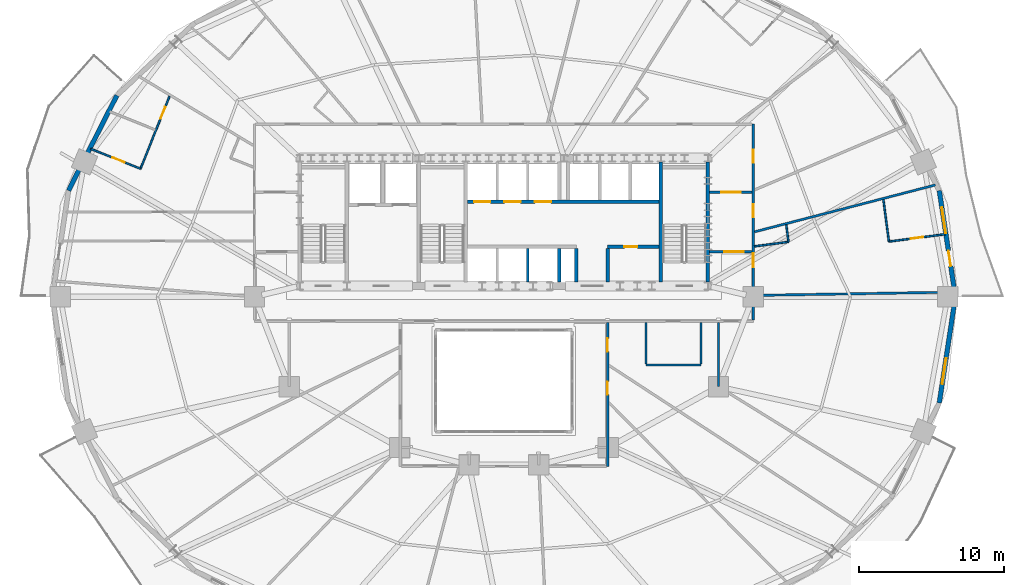
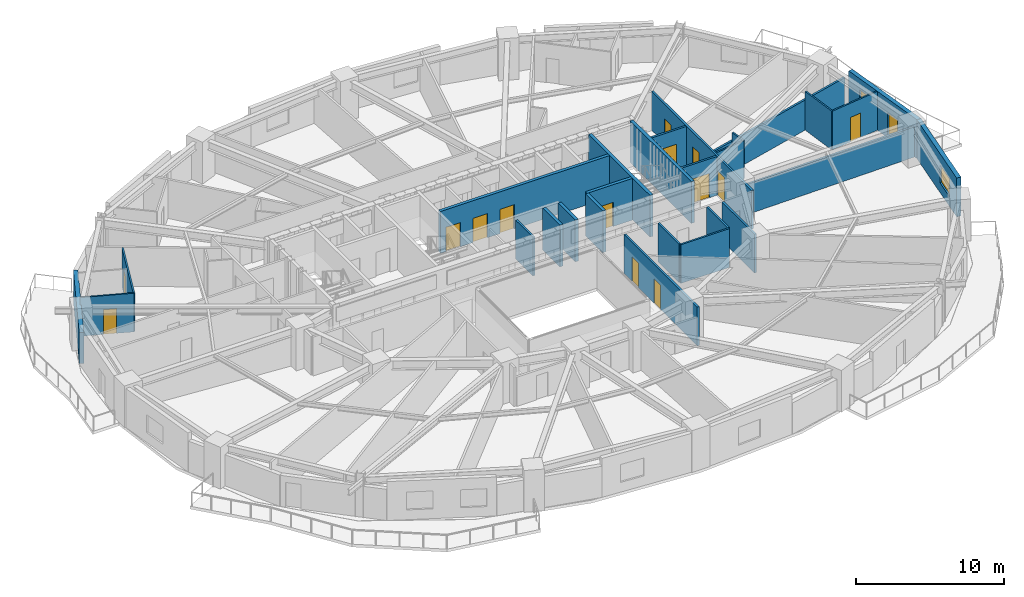
# One storey, part 11 of 17: 27 walls, 15 doors, 2 windows, 17 openings.
"""IFC4 building model written with IfcOpenShell, lengths in metres."""

from ifc_helpers import new_model, si_unit, direction, frame, frame_2d, origin, place, context, subcontext, project, spatial, rectangle, extrude, material, layer, layer_set, type_object, element, fill, save


model = new_model("IFC4")

# Units and contexts
model_context = context("Model", 3, precision=1e-05, world=origin(), true_north=direction((0.0, 1.0)))
body_context = subcontext(model_context, "Body", "Model", "MODEL_VIEW")
ifc_project = project(units=[si_unit("LENGTHUNIT", "METRE"), si_unit("AREAUNIT", "SQUARE_METRE"), si_unit("VOLUMEUNIT", "CUBIC_METRE"), si_unit("PLANEANGLEUNIT", "RADIAN"), si_unit("MASSUNIT", "GRAM", prefix="KILO")], contexts=[model_context])

# Site, building, storey
site_placement = place(None, origin())
site = spatial("IfcSite", under=ifc_project, at=site_placement, CompositionType="ELEMENT")
building_placement = place(site_placement, origin())
building = spatial("IfcBuilding", under=site, at=building_placement, Name="Haldorwick Loom Tower", CompositionType="ELEMENT")
storey_placement = place(building_placement, frame((0.0, 0.0, 30.89990234375)))
storey = spatial("IfcBuildingStorey", under=building, at=storey_placement, Name="L07", CompositionType="ELEMENT", Elevation=30.89990234375)

# Wall, openings, door, window
ifc_material_1 = material(Name="Pressed Clay Face Brick and Insulated Masonry Backup Assembly", Category="masonry")
ifc_layer_1 = layer(ifc_material_1, 0.320068359375, Name="Pressed Clay Face Brick and Insulated Masonry Backup Assembly", Category="masonry")
ifc_layer_set_1 = layer_set([ifc_layer_1], Name="Pressed Clay Face Brick and Insulated Masonry Backup Assembly")
wall_type_1 = type_object("IfcWallType", Name="ARC-WL-EXT320", PredefinedType="STANDARD", material=ifc_layer_set_1)
wall_1_placement = place(storey_placement, frame((67.135986328125, 26.0, 0.0), z_axis=(0.0, 0.0, 1.0), x_axis=(-0.150476322528, 0.988613613278, 0.0)))
wall_1 = element("IfcWall", 1, at=wall_1_placement, inside=storey, type_object=wall_type_1, Name="L07 Brick Pier and Spandrel Wall 1", PredefinedType="STANDARD", context=body_context, shape_type="SweptSolid", body=[
    extrude(rectangle(XDim=7.40478515625, YDim=0.320068359375, at=frame_2d((3.702392578125, 0.0))), origin(), (0.0, 0.0, 1.0), 3.210205078125),
])
opening_1_placement = place(wall_1_placement, frame((2.1416015625, 0.0, 0.0)))
opening_1 = element("IfcOpeningElement", 2, at=opening_1_placement, cuts=wall_1, Name="Opening D-BL11", PredefinedType="OPENING", context=body_context, shape_type="SweptSolid", body=[
    extrude(rectangle(XDim=1.080078125, YDim=2.0400390625, at=frame_2d((0.5400390625, 1.02001953125))), frame((0.0, 0.169921875, 0.0), z_axis=(0.0, -1.0, 0.0), x_axis=(1.0, 0.0, 0.0)), (0.0, 0.0, 1.0), 0.340087890625),
])
opening_2_placement = place(wall_1_placement, frame((4.424072265625, 0.0, 0.800048828125)))
opening_2 = element("IfcOpeningElement", 3, at=opening_2_placement, cuts=wall_1, Name="Opening W-01", PredefinedType="OPENING", context=body_context, shape_type="SweptSolid", body=[
    extrude(rectangle(XDim=1.800048828125, YDim=1.47998046875, at=frame_2d((0.89990234375, 0.739990234375))), frame((0.0, 0.169921875, 0.0), z_axis=(0.0, -1.0, 0.0), x_axis=(1.0, 0.0, 0.0)), (0.0, 0.0, 1.0), 0.340087890625),
])
ifc_material_2 = material(Name="Thermally Broken Anodized Aluminium Curtain Wall Framing", Category="aluminium")
door_type_1 = type_object("IfcDoorType", Name="ARC-DR-BAL110", OperationType="NOTDEFINED", PredefinedType="DOOR", material=ifc_material_2)
door_1_placement = place(opening_1_placement, origin())
door_1 = element("IfcDoor", 4, at=door_1_placement, inside=storey, type_object=door_type_1, Name="L07 Outdoor Terrace Door SLB-L07-BAL_ENE", OperationType="SINGLE_SWING_RIGHT", OverallHeight=2.0400390625, OverallWidth=1.080078125, PredefinedType="DOOR", context=body_context, shape_type="SweptSolid", body=[
    extrude(rectangle(XDim=1.080078125, YDim=2.0400390625, at=frame_2d((0.5400390625, 1.02001953125))), frame((0.0, 0.02490234375, 0.0), z_axis=(0.0, -1.0, 0.0), x_axis=(1.0, 0.0, 0.0)), (0.0, 0.0, 1.0), 0.050048828125),
])
fill(opening_1, door_1)
ifc_material_3 = material(Name="Triple-Glazed Low-E Argon Insulated Glazing Unit", Category="glass")
window_type = type_object("IfcWindowType", Name="ARC-WIN-W180", PartitioningType="SINGLE_PANEL", PredefinedType="WINDOW", material=ifc_material_3)
window_1_placement = place(opening_2_placement, origin())
window_1 = element("IfcWindow", 5, at=window_1_placement, inside=storey, type_object=window_type, Name="L07 Deep-Set Zone 7A Window 1", OverallHeight=1.47998046875, OverallWidth=1.800048828125, PartitioningType="SINGLE_PANEL", PredefinedType="WINDOW", context=body_context, shape_type="SweptSolid", body=[
    extrude(rectangle(XDim=1.800048828125, YDim=1.47998046875, at=frame_2d((0.89990234375, 0.739990234375))), frame((0.0, 0.030029296875, 0.0), z_axis=(0.0, -1.0, 0.0), x_axis=(1.0, 0.0, 0.0)), (0.0, 0.0, 1.0), 0.06005859375),
])
fill(opening_2, window_1)

# Wall
wall_2_placement = place(storey_placement, frame((9.311279296875, 39.880859375, 0.0), z_axis=(0.0, 0.0, 1.0), x_axis=(-0.452950855928, -0.891535485617, 0.0)))
element("IfcWall", 6, at=wall_2_placement, inside=storey, type_object=wall_type_1, Name="L07 Brick Pier and Spandrel Wall 11", PredefinedType="STANDARD", context=body_context, shape_type="SweptSolid", body=[
    extrude(rectangle(XDim=7.3583984375, YDim=0.320068359375, at=frame_2d((3.67919921875, 0.0))), origin(), (0.0, 0.0, 1.0), 2.569091796875),
])

# Wall, opening, window
wall_3_placement = place(storey_placement, frame((66.021728515625, 18.679443359375, 0.0), z_axis=(0.0, 0.0, 1.0), x_axis=(0.150476322528, 0.988613613278, 0.0)))
wall_3 = element("IfcWall", 7, at=wall_3_placement, inside=storey, type_object=wall_type_1, Name="L07 Brick Pier and Spandrel Wall 24", PredefinedType="STANDARD", context=body_context, shape_type="SweptSolid", body=[
    extrude(rectangle(XDim=7.40478515625, YDim=0.320068359375, at=frame_2d((3.702392578125, 0.0))), origin(), (0.0, 0.0, 1.0), 3.210205078125),
])
opening_3_placement = place(wall_3_placement, frame((1.321533203125, 0.0, 0.800048828125)))
opening_3 = element("IfcOpeningElement", 8, at=opening_3_placement, cuts=wall_3, Name="Opening W-01", PredefinedType="OPENING", context=body_context, shape_type="SweptSolid", body=[
    extrude(rectangle(XDim=1.800048828125, YDim=1.47998046875, at=frame_2d((0.89990234375, 0.739990234375))), frame((0.0, 0.169921875, 0.0), z_axis=(0.0, -1.0, 0.0), x_axis=(1.0, 0.0, 0.0)), (0.0, 0.0, 1.0), 0.340087890625),
])
window_2_placement = place(opening_3_placement, origin())
window_2 = element("IfcWindow", 9, at=window_2_placement, inside=storey, type_object=window_type, Name="L07 Deep-Set Zone 7A Window 24", OverallHeight=1.47998046875, OverallWidth=1.800048828125, PartitioningType="SINGLE_PANEL", PredefinedType="WINDOW", context=body_context, shape_type="SweptSolid", body=[
    extrude(rectangle(XDim=1.800048828125, YDim=1.47998046875, at=frame_2d((0.89990234375, 0.739990234375))), frame((0.0, 0.030029296875, 0.0), z_axis=(0.0, -1.0, 0.0), x_axis=(1.0, 0.0, 0.0)), (0.0, 0.0, 1.0), 0.06005859375),
])
fill(opening_3, window_2)

# Wall, openings, doors
ifc_material_4 = material(Name="Fire-Rated Type X Gypsum Stud Assembly EI 60")
ifc_layer_2 = layer(ifc_material_4, 0.159912109375, Name="Fire-Rated Type X Gypsum Stud Assembly EI 60")
ifc_layer_set_2 = layer_set([ifc_layer_2], Name="Fire-Rated Type X Gypsum Stud Assembly EI 60")
wall_type_2 = type_object("IfcWallType", Name="ARC-WL-FIRE160", PredefinedType="PARTITIONING", material=ifc_layer_set_2)
wall_4_placement = place(storey_placement, frame((53.199951171875, 24.383056640625, 0.0), z_axis=(0.0, 0.0, 1.0), x_axis=(0.0, 1.0, 0.0)))
wall_4 = element("IfcWall", 10, at=wall_4_placement, inside=storey, type_object=wall_type_2, Name="L07 Residential Fire Partition L07-CR-E0", PredefinedType="PARTITIONING", context=body_context, shape_type="SweptSolid", body=[
    extrude(rectangle(XDim=13.516845703125, YDim=0.159912109375, at=frame_2d((6.75830078125, 0.0))), origin(), (0.0, 0.0, 1.0), 3.195068359375),
])
opening_4_placement = place(wall_4_placement, frame((10.85107421875, 0.0, 0.0)))
opening_4 = element("IfcOpeningElement", 11, at=opening_4_placement, cuts=wall_4, Name="Opening D-FD60A", PredefinedType="OPENING", context=body_context, shape_type="SweptSolid", body=[
    extrude(rectangle(XDim=0.89990234375, YDim=2.0, at=frame_2d((0.449951171875, 1.0))), frame((0.0, 0.08984375, 0.0), z_axis=(0.0, -1.0, 0.0), x_axis=(1.0, 0.0, 0.0)), (0.0, 0.0, 1.0), 0.179931640625),
])
opening_5_placement = place(wall_4_placement, frame((3.661865234375, 0.0, 0.0)))
opening_5 = element("IfcOpeningElement", 12, at=opening_5_placement, cuts=wall_4, Name="Opening D-FL95", PredefinedType="OPENING", context=body_context, shape_type="SweptSolid", body=[
    extrude(rectangle(XDim=0.949951171875, YDim=2.0400390625, at=frame_2d((0.47509765625, 1.02001953125))), frame((0.0, 0.08984375, 0.0), z_axis=(0.0, -1.0, 0.0), x_axis=(1.0, 0.0, 0.0)), (0.0, 0.0, 1.0), 0.179931640625),
])
opening_6_placement = place(wall_4_placement, frame((7.083984375, 0.0, 0.0)))
opening_6 = element("IfcOpeningElement", 13, at=opening_6_placement, cuts=wall_4, Name="Opening D-FD60A", PredefinedType="OPENING", context=body_context, shape_type="SweptSolid", body=[
    extrude(rectangle(XDim=0.89990234375, YDim=2.0, at=frame_2d((0.449951171875, 1.0))), frame((0.0, 0.08984375, 0.0), z_axis=(0.0, -1.0, 0.0), x_axis=(1.0, 0.0, 0.0)), (0.0, 0.0, 1.0), 0.179931640625),
])
ifc_material_5 = material(Name="Hollow Steel Fire Door Assembly", Category="steel")
door_type_2 = type_object("IfcDoorType", Name="ARC-DR-FD60-90", OperationType="NOTDEFINED", PredefinedType="DOOR", material=ifc_material_5)
door_2_placement = place(opening_4_placement, origin())
door_2 = element("IfcDoor", 14, at=door_2_placement, inside=storey, type_object=door_type_2, Name="L07 L07 North Residential Corridor to Shared Resident Dining Hall 10 Doo", OperationType="SINGLE_SWING_RIGHT", OverallHeight=2.0, OverallWidth=0.89990234375, PredefinedType="DOOR", context=body_context, shape_type="SweptSolid", body=[
    extrude(rectangle(XDim=0.89990234375, YDim=2.0, at=frame_2d((0.449951171875, 1.0))), frame((0.0, 0.02490234375, 0.0), z_axis=(0.0, -1.0, 0.0), x_axis=(1.0, 0.0, 0.0)), (0.0, 0.0, 1.0), 0.050048828125),
])
fill(opening_4, door_2)
door_3_placement = place(opening_6_placement, origin())
door_3 = element("IfcDoor", 15, at=door_3_placement, inside=storey, type_object=door_type_2, Name="L07 L07 East Residential Corridor to Shared Resident Dining Hall 9 Door", OperationType="SINGLE_SWING_LEFT", OverallHeight=2.0, OverallWidth=0.89990234375, PredefinedType="DOOR", context=body_context, shape_type="SweptSolid", body=[
    extrude(rectangle(XDim=0.89990234375, YDim=2.0, at=frame_2d((0.449951171875, 1.0))), frame((0.0, 0.02490234375, 0.0), z_axis=(0.0, -1.0, 0.0), x_axis=(1.0, 0.0, 0.0)), (0.0, 0.0, 1.0), 0.050048828125),
])
fill(opening_6, door_3)
ifc_material_6 = material(Name="Solid Core Birch Architectural Door")
door_type_3 = type_object("IfcDoorType", Name="ARC-DR-FLAT95", OperationType="NOTDEFINED", PredefinedType="DOOR", material=ifc_material_6)
door_4_placement = place(opening_5_placement, origin())
door_4 = element("IfcDoor", 16, at=door_4_placement, inside=storey, type_object=door_type_3, Name="L07 L07 Central Residential Corridor to Unit 07H Kitchen and Studio Livi", OperationType="SINGLE_SWING_LEFT", OverallHeight=2.0400390625, OverallWidth=0.949951171875, PredefinedType="DOOR", context=body_context, shape_type="SweptSolid", body=[
    extrude(rectangle(XDim=0.949951171875, YDim=2.0400390625, at=frame_2d((0.47509765625, 1.02001953125))), frame((0.0, 0.02490234375, 0.0), z_axis=(0.0, -1.0, 0.0), x_axis=(1.0, 0.0, 0.0)), (0.0, 0.0, 1.0), 0.050048828125),
])
fill(opening_5, door_4)

# Wall, opening, door
wall_5_placement = place(storey_placement, frame((50.193115234375, 29.10009765625, 0.0), z_axis=(0.0, 0.0, 1.0), x_axis=(1.0, 0.0, 0.0)))
wall_5 = element("IfcWall", 17, at=wall_5_placement, inside=storey, type_object=wall_type_2, Name="L07 Residential Fire Partition L07-CR-ESJ", PredefinedType="PARTITIONING", context=body_context, shape_type="SweptSolid", body=[
    extrude(rectangle(XDim=2.923828125, YDim=0.159912109375, at=frame_2d((1.4619140625, 0.0))), origin(), (0.0, 0.0, 1.0), 3.195068359375),
])
opening_7_placement = place(wall_5_placement, frame((0.99560546875, 0.0, 0.0)))
opening_7 = element("IfcOpeningElement", 18, at=opening_7_placement, cuts=wall_5, Name="Opening D-CR15", PredefinedType="OPENING", context=body_context, shape_type="SweptSolid", body=[
    extrude(rectangle(XDim=1.35009765625, YDim=2.0, at=frame_2d((0.675048828125, 1.0))), frame((0.0, 0.08984375, 0.0), z_axis=(0.0, -1.0, 0.0), x_axis=(1.0, 0.0, 0.0)), (0.0, 0.0, 1.0), 0.179931640625),
])
ifc_material_7 = material(Name="Thermally Broken Anodized Aluminium and Tempered Glass", Category="aluminium")
door_type_4 = type_object("IfcDoorType", Name="ARC-DR-COR150", OperationType="NOTDEFINED", PredefinedType="DOOR", material=ifc_material_7)
door_5_placement = place(opening_7_placement, origin())
door_5 = element("IfcDoor", 19, at=door_5_placement, inside=storey, type_object=door_type_4, Name="L07 L07 East Residential Corridor to L07 Central Residential Corridor Do", OperationType="DOUBLE_DOOR_SINGLE_SWING", OverallHeight=2.0, OverallWidth=1.35009765625, PredefinedType="DOOR", context=body_context, shape_type="SweptSolid", body=[
    extrude(rectangle(XDim=1.35009765625, YDim=2.0, at=frame_2d((0.675048828125, 1.0))), frame((0.0, 0.02490234375, 0.0), z_axis=(0.0, -1.0, 0.0), x_axis=(1.0, 0.0, 0.0)), (0.0, 0.0, 1.0), 0.050048828125),
])
fill(opening_7, door_5)

wall_6_placement = place(storey_placement, frame((50.193115234375, 33.199951171875, 0.0), z_axis=(0.0, 0.0, 1.0), x_axis=(1.0, 0.0, 0.0)))
wall_6 = element("IfcWall", 20, at=wall_6_placement, inside=storey, type_object=wall_type_2, Name="L07 Residential Fire Partition L07-CR-ENJ", PredefinedType="PARTITIONING", context=body_context, shape_type="SweptSolid", body=[
    extrude(rectangle(XDim=2.923828125, YDim=0.159912109375, at=frame_2d((1.4619140625, 0.0))), origin(), (0.0, 0.0, 1.0), 3.195068359375),
])
opening_8_placement = place(wall_6_placement, frame((0.787109375, 0.0, 0.0)))
opening_8 = element("IfcOpeningElement", 21, at=opening_8_placement, cuts=wall_6, Name="Opening D-CR15", PredefinedType="OPENING", context=body_context, shape_type="SweptSolid", body=[
    extrude(rectangle(XDim=1.35009765625, YDim=2.0, at=frame_2d((0.675048828125, 1.0))), frame((0.0, 0.08984375, 0.0), z_axis=(0.0, -1.0, 0.0), x_axis=(1.0, 0.0, 0.0)), (0.0, 0.0, 1.0), 0.179931640625),
])
door_6_placement = place(opening_8_placement, origin())
door_6 = element("IfcDoor", 22, at=door_6_placement, inside=storey, type_object=door_type_4, Name="L07 L07 North Residential Corridor to L07 East Residential Corridor Door", OperationType="DOUBLE_DOOR_SINGLE_SWING", OverallHeight=2.0, OverallWidth=1.35009765625, PredefinedType="DOOR", context=body_context, shape_type="SweptSolid", body=[
    extrude(rectangle(XDim=1.35009765625, YDim=2.0, at=frame_2d((0.675048828125, 1.0))), frame((0.0, 0.02490234375, 0.0), z_axis=(0.0, -1.0, 0.0), x_axis=(1.0, 0.0, 0.0)), (0.0, 0.0, 1.0), 0.050048828125),
])
fill(opening_8, door_6)

# Wall, openings, doors
wall_7_placement = place(storey_placement, frame((43.14990234375, 14.300048828125, 0.0), z_axis=(0.0, 0.0, 1.0), x_axis=(0.0, 1.0, 0.0)))
wall_7 = element("IfcWall", 23, at=wall_7_placement, inside=storey, type_object=wall_type_2, Name="L07 Residential Fire Partition L07-CR-AE", PredefinedType="PARTITIONING", context=body_context, shape_type="SweptSolid", body=[
    extrude(rectangle(XDim=9.9169921875, YDim=0.159912109375, at=frame_2d((4.95849609375, 0.0))), origin(), (0.0, 0.0, 1.0), 3.195068359375),
])
opening_9_placement = place(wall_7_placement, frame((7.92431640625, 0.0, 0.0)))
opening_9 = element("IfcOpeningElement", 24, at=opening_9_placement, cuts=wall_7, Name="Opening D-FD60A", PredefinedType="OPENING", context=body_context, shape_type="SweptSolid", body=[
    extrude(rectangle(XDim=0.89990234375, YDim=2.0, at=frame_2d((0.449951171875, 1.0))), frame((0.0, 0.08984375, 0.0), z_axis=(0.0, -1.0, 0.0), x_axis=(1.0, 0.0, 0.0)), (0.0, 0.0, 1.0), 0.179931640625),
])
opening_10_placement = place(wall_7_placement, frame((4.94921875, 0.0, 0.0)))
opening_10 = element("IfcOpeningElement", 25, at=opening_10_placement, cuts=wall_7, Name="Opening D-FD60A", PredefinedType="OPENING", context=body_context, shape_type="SweptSolid", body=[
    extrude(rectangle(XDim=0.89990234375, YDim=2.0, at=frame_2d((0.449951171875, 1.0))), frame((0.0, 0.08984375, 0.0), z_axis=(0.0, -1.0, 0.0), x_axis=(1.0, 0.0, 0.0)), (0.0, 0.0, 1.0), 0.179931640625),
])
door_7_placement = place(opening_9_placement, origin())
door_7 = element("IfcDoor", 26, at=door_7_placement, inside=storey, type_object=door_type_2, Name="L07 L07 South Atrium Corridor to Shared Resident Dining Hall 4 Door", OperationType="SINGLE_SWING_RIGHT", OverallHeight=2.0, OverallWidth=0.89990234375, PredefinedType="DOOR", context=body_context, shape_type="SweptSolid", body=[
    extrude(rectangle(XDim=0.89990234375, YDim=2.0, at=frame_2d((0.449951171875, 1.0))), frame((0.0, 0.02490234375, 0.0), z_axis=(0.0, -1.0, 0.0), x_axis=(1.0, 0.0, 0.0)), (0.0, 0.0, 1.0), 0.050048828125),
])
fill(opening_9, door_7)
door_8_placement = place(opening_10_placement, origin())
door_8 = element("IfcDoor", 27, at=door_8_placement, inside=storey, type_object=door_type_2, Name="L07 L07 South Atrium Corridor to Community Music Hall 2 Door", OperationType="SINGLE_SWING_RIGHT", OverallHeight=2.0, OverallWidth=0.89990234375, PredefinedType="DOOR", context=body_context, shape_type="SweptSolid", body=[
    extrude(rectangle(XDim=0.89990234375, YDim=2.0, at=frame_2d((0.449951171875, 1.0))), frame((0.0, 0.02490234375, 0.0), z_axis=(0.0, -1.0, 0.0), x_axis=(1.0, 0.0, 0.0)), (0.0, 0.0, 1.0), 0.050048828125),
])
fill(opening_10, door_8)

# Walls
wall_8_placement = place(storey_placement, frame((50.800048828125, 24.217041015625, 0.0), z_axis=(0.0, 0.0, 1.0), x_axis=(0.0, -1.0, 0.0)))
element("IfcWall", 28, at=wall_8_placement, inside=storey, type_object=wall_type_2, Name="L07 Residential Fire Partition L07-ICA-01", PredefinedType="PARTITIONING", context=body_context, shape_type="SweptSolid", body=[
    extrude(rectangle(XDim=4.4169921875, YDim=0.159912109375, at=frame_2d((2.20849609375, 0.0))), origin(), (0.0, 0.0, 1.0), 3.195068359375),
])
wall_9_placement = place(storey_placement, frame((53.282958984375, 30.477294921875, 0.0), z_axis=(0.0, 0.0, 1.0), x_axis=(0.968045992865, 0.250772717212, 0.0)))
element("IfcWall", 29, at=wall_9_placement, inside=storey, type_object=wall_type_2, Name="L07 Suite Split Wall", PredefinedType="PARTITIONING", context=body_context, shape_type="SweptSolid", body=[
    extrude(rectangle(XDim=12.881103515625, YDim=0.159912109375, at=frame_2d((6.4404296875, 0.0))), origin(), (0.0, 0.0, 1.0), 2.489990234375),
])
wall_10_placement = place(storey_placement, frame((53.282958984375, 26.09228515625, 0.0), z_axis=(0.0, 0.0, 1.0), x_axis=(0.999864932798, 0.016435210983, 0.0)))
element("IfcWall", 30, at=wall_10_placement, inside=storey, type_object=wall_type_2, Name="L07 Suite Split Wall", PredefinedType="PARTITIONING", context=body_context, shape_type="SweptSolid", body=[
    extrude(rectangle(XDim=13.74072265625, YDim=0.159912109375, at=frame_2d((6.870361328125, 0.0))), origin(), (0.0, 0.0, 1.0), 2.489990234375),
])

# Wall, opening, door
ifc_material_8 = material(Name="Acoustic Gypsum Stud Assembly STC 55")
ifc_layer_3 = layer(ifc_material_8, 0.1201171875, Name="Acoustic Gypsum Stud Assembly STC 55")
ifc_layer_set_3 = layer_set([ifc_layer_3], Name="Acoustic Gypsum Stud Assembly STC 55")
wall_type_3 = type_object("IfcWallType", Name="ARC-WL-PART120", PredefinedType="PARTITIONING", material=ifc_layer_set_3)
wall_11_placement = place(storey_placement, frame((12.94580078125, 39.826416015625, 0.0), z_axis=(0.0, 0.0, 1.0), x_axis=(-0.372093671099, -0.928195184176, 0.0)))
wall_11 = element("IfcWall", 31, at=wall_11_placement, inside=storey, type_object=wall_type_3, Name="L07 Unit 07A Interior Partition", PredefinedType="PARTITIONING", context=body_context, shape_type="SweptSolid", body=[
    extrude(rectangle(XDim=5.38818359375, YDim=0.1201171875, at=frame_2d((2.694091796875, 0.0))), origin(), (0.0, 0.0, 1.0), 3.195068359375),
])
opening_11_placement = place(wall_11_placement, frame((0.794677734375, 0.0, 0.0)))
opening_11 = element("IfcOpeningElement", 32, at=opening_11_placement, cuts=wall_11, Name="Opening D-BT88", PredefinedType="OPENING", context=body_context, shape_type="SweptSolid", body=[
    extrude(rectangle(XDim=0.8798828125, YDim=2.02001953125, at=frame_2d((0.43994140625, 1.010009765625))), frame((0.0, 0.070068359375, 0.0), z_axis=(0.0, -1.0, 0.0), x_axis=(1.0, 0.0, 0.0)), (0.0, 0.0, 1.0), 0.14013671875),
])
door_type_5 = type_object("IfcDoorType", Name="ARC-DR-BATH88", OperationType="NOTDEFINED", PredefinedType="DOOR", material=ifc_material_6)
door_9_placement = place(opening_11_placement, origin())
door_9 = element("IfcDoor", 33, at=door_9_placement, inside=storey, type_object=door_type_5, Name="L07 Unit 07A Kitchen and Living Room to Unit 07A Bathroom Door", OperationType="SINGLE_SWING_LEFT", OverallHeight=2.02001953125, OverallWidth=0.8798828125, PredefinedType="DOOR", context=body_context, shape_type="SweptSolid", body=[
    extrude(rectangle(XDim=0.8798828125, YDim=2.02001953125, at=frame_2d((0.43994140625, 1.010009765625))), frame((0.0, 0.02490234375, 0.0), z_axis=(0.0, -1.0, 0.0), x_axis=(1.0, 0.0, 0.0)), (0.0, 0.0, 1.0), 0.050048828125),
])
fill(opening_11, door_9)

wall_12_placement = place(storey_placement, frame((10.94091796875, 34.8251953125, 0.0), z_axis=(0.0, 0.0, 1.0), x_axis=(-0.928184566742, 0.372120155409, 0.0)))
wall_12 = element("IfcWall", 34, at=wall_12_placement, inside=storey, type_object=wall_type_3, Name="L07 Unit 07A Interior Partition", PredefinedType="PARTITIONING", context=body_context, shape_type="SweptSolid", body=[
    extrude(rectangle(XDim=3.6923828125, YDim=0.1201171875, at=frame_2d((1.84619140625, 0.0))), origin(), (0.0, 0.0, 1.0), 3.195068359375),
])
opening_12_placement = place(wall_12_placement, frame((1.18505859375, 0.0, 0.0)))
opening_12 = element("IfcOpeningElement", 35, at=opening_12_placement, cuts=wall_12, Name="Opening D-IN90", PredefinedType="OPENING", context=body_context, shape_type="SweptSolid", body=[
    extrude(rectangle(XDim=0.89990234375, YDim=2.0400390625, at=frame_2d((0.449951171875, 1.02001953125))), frame((0.0, 0.070068359375, 0.0), z_axis=(0.0, -1.0, 0.0), x_axis=(1.0, 0.0, 0.0)), (0.0, 0.0, 1.0), 0.14013671875),
])
door_type_6 = type_object("IfcDoorType", Name="ARC-DR-INT90", OperationType="NOTDEFINED", PredefinedType="DOOR", material=ifc_material_6)
door_10_placement = place(opening_12_placement, origin())
door_10 = element("IfcDoor", 36, at=door_10_placement, inside=storey, type_object=door_type_6, Name="L07 Unit 07A Kitchen and Living Room to Unit 07A Bedroom 1 Door", OperationType="SINGLE_SWING_LEFT", OverallHeight=2.0400390625, OverallWidth=0.89990234375, PredefinedType="DOOR", context=body_context, shape_type="SweptSolid", body=[
    extrude(rectangle(XDim=0.89990234375, YDim=2.0400390625, at=frame_2d((0.449951171875, 1.02001953125))), frame((0.0, 0.02490234375, 0.0), z_axis=(0.0, -1.0, 0.0), x_axis=(1.0, 0.0, 0.0)), (0.0, 0.0, 1.0), 0.050048828125),
])
fill(opening_12, door_10)

# Walls
wall_13_placement = place(storey_placement, frame((55.625732421875, 29.782470703125, 0.0), z_axis=(0.0, 0.0, 1.0), x_axis=(-0.12988475407, 0.991529097233, 0.0)))
element("IfcWall", 37, at=wall_13_placement, inside=storey, type_object=wall_type_3, Name="L07 Unit 07H Interior Partition", PredefinedType="PARTITIONING", context=body_context, shape_type="SweptSolid", body=[
    extrude(rectangle(XDim=1.18603515625, YDim=0.1201171875, at=frame_2d((0.593017578125, 0.0))), origin(), (0.0, 0.0, 1.0), 3.195068359375),
])
wall_14_placement = place(storey_placement, frame((53.282958984375, 29.475341796875, 0.0), z_axis=(0.0, 0.0, 1.0), x_axis=(0.991516081056, 0.129984079822, 0.0)))
element("IfcWall", 38, at=wall_14_placement, inside=storey, type_object=wall_type_3, Name="L07 Unit 07H Interior Partition", PredefinedType="PARTITIONING", context=body_context, shape_type="SweptSolid", body=[
    extrude(rectangle(XDim=2.36279296875, YDim=0.1201171875, at=frame_2d((1.181396484375, 0.0))), origin(), (0.0, 0.0, 1.0), 3.195068359375),
])
wall_15_placement = place(storey_placement, frame((62.54833984375, 29.8037109375, 0.0), z_axis=(0.0, 0.0, 1.0), x_axis=(-0.129919288039, 0.991524572865, 0.0)))
element("IfcWall", 39, at=wall_15_placement, inside=storey, type_object=wall_type_3, Name="L07 Unit 07H Interior Partition", PredefinedType="PARTITIONING", context=body_context, shape_type="SweptSolid", body=[
    extrude(rectangle(XDim=2.91455078125, YDim=0.1201171875, at=frame_2d((1.457275390625, 0.0))), origin(), (0.0, 0.0, 1.0), 3.195068359375),
])

# Wall, opening, door
wall_16_placement = place(storey_placement, frame((62.54833984375, 29.8037109375, 0.0), z_axis=(0.0, 0.0, 1.0), x_axis=(0.991523421212, 0.129928076982, 0.0)))
wall_16 = element("IfcWall", 40, at=wall_16_placement, inside=storey, type_object=wall_type_3, Name="L07 Unit 07H Interior Partition", PredefinedType="PARTITIONING", context=body_context, shape_type="SweptSolid", body=[
    extrude(rectangle(XDim=3.89892578125, YDim=0.1201171875, at=frame_2d((1.949462890625, 0.0))), origin(), (0.0, 0.0, 1.0), 3.195068359375),
])
opening_13_placement = place(wall_16_placement, frame((1.509521484375, 0.0, 0.0)))
opening_13 = element("IfcOpeningElement", 41, at=opening_13_placement, cuts=wall_16, Name="Opening D-BT88", PredefinedType="OPENING", context=body_context, shape_type="SweptSolid", body=[
    extrude(rectangle(XDim=0.8798828125, YDim=2.02001953125, at=frame_2d((0.43994140625, 1.010009765625))), frame((0.0, 0.070068359375, 0.0), z_axis=(0.0, -1.0, 0.0), x_axis=(1.0, 0.0, 0.0)), (0.0, 0.0, 1.0), 0.14013671875),
])
door_11_placement = place(opening_13_placement, origin())
door_11 = element("IfcDoor", 42, at=door_11_placement, inside=storey, type_object=door_type_5, Name="L07 Unit 07H Bathroom to Unit 07H Kitchen and Studio Living Room Door", OperationType="SINGLE_SWING_LEFT", OverallHeight=2.02001953125, OverallWidth=0.8798828125, PredefinedType="DOOR", context=body_context, shape_type="SweptSolid", body=[
    extrude(rectangle(XDim=0.8798828125, YDim=2.02001953125, at=frame_2d((0.43994140625, 1.010009765625))), frame((0.0, 0.02490234375, 0.0), z_axis=(0.0, -1.0, 0.0), x_axis=(1.0, 0.0, 0.0)), (0.0, 0.0, 1.0), 0.050048828125),
])
fill(opening_13, door_11)

# Walls
ifc_layer_4 = layer(ifc_material_4, 0.139892578125, Name="Fire-Rated Type X Gypsum Stud Assembly EI 60")
ifc_layer_set_4 = layer_set([ifc_layer_4], Name="Fire-Rated Type X Gypsum Stud Assembly EI 60")
wall_type_4 = type_object("IfcWallType", Name="ARC-WL-PART140", PredefinedType="PARTITIONING", material=ifc_layer_set_4)
wall_17_placement = place(storey_placement, frame((45.800048828125, 21.300048828125, 0.0), z_axis=(0.0, 0.0, 1.0), x_axis=(1.0, 0.0, 0.0)))
element("IfcWall", 43, at=wall_17_placement, inside=storey, type_object=wall_type_4, Name="L07 Residential Fire Partition L07-CWC-S", PredefinedType="PARTITIONING", context=body_context, shape_type="SweptSolid", body=[
    extrude(rectangle(XDim=3.800048828125, YDim=0.139892578125, at=frame_2d((1.89990234375, 0.0))), origin(), (0.0, 0.0, 1.0), 3.195068359375),
])
for number, where, z_axis, x_axis, name in (
    (44, (45.800048828125, 21.373046875, 0.0), (0.0, 0.0, 1.0), (0.0, 1.0, 0.0), "L07 Residential Fire Partition L07-CWC-W"),
    (45, (49.60009765625, 21.373046875, 0.0), (0.0, 0.0, 1.0), (0.0, 1.0, 0.0), "L07 Residential Fire Partition L07-CWC-E"),
):
    element("IfcWall", number, at=place(storey_placement, frame(where, z_axis=z_axis, x_axis=x_axis)), inside=storey, type_object=wall_type_4, Name=name, PredefinedType="PARTITIONING", context=body_context, shape_type="SweptSolid", body=[
        extrude(rectangle(XDim=2.843994140625, YDim=0.139892578125, at=frame_2d((1.421875, 0.0))), origin(), (0.0, 0.0, 1.0), 3.195068359375),
    ])
ifc_material_9 = material(Name="Fire-Rated Type X Gypsum Stud Assembly EI 120")
ifc_layer_5 = layer(ifc_material_9, 0.1650390625, Name="Fire-Rated Type X Gypsum Stud Assembly EI 120")
ifc_layer_set_5 = layer_set([ifc_layer_5], Name="Fire-Rated Type X Gypsum Stud Assembly EI 120")
wall_type_5 = type_object("IfcWallType", Name="ARC-WL-SHAFT160", PredefinedType="MOVABLE", material=ifc_layer_set_5)
wall_18_placement = place(storey_placement, frame((37.64990234375, 27.0029296875, 0.0), z_axis=(0.0, 0.0, 1.0), x_axis=(0.0, 1.0, 0.0)))
element("IfcWall", 46, at=wall_18_placement, inside=storey, type_object=wall_type_5, Name="L07 Mid-Rise Hoistway Divider 2", PredefinedType="MOVABLE", context=body_context, shape_type="SweptSolid", body=[
    extrude(rectangle(XDim=2.323974609375, YDim=0.159912109375, at=frame_2d((1.162109375, 0.0))), origin(), (0.0, 0.0, 1.0), 3.195068359375),
])
ifc_material_10 = material(Name="Concrete C50 (50 MPa)", Category="concrete")
ifc_layer_6 = layer(ifc_material_10, 0.239990234375, Name="Concrete C50 (50 MPa)", Category="concrete")
ifc_layer_set_6 = layer_set([ifc_layer_6], Name="Concrete C50 (50 MPa)")
wall_type_6 = type_object("IfcWallType", Name="STR-WL-SHAFT240", PredefinedType="SHEAR", material=ifc_layer_set_6)
for number, where, z_axis, x_axis, name in (
    (47, (50.070068359375, 27.0029296875, 0.0), (0.0, 0.0, 1.0), (0.0, 1.0, 0.0), "L07 Core Shear Wall E"),
    (48, (46.830078125, 27.0029296875, 0.0), (0.0, 0.0, 1.0), (0.0, 1.0, 0.0), "L07 Core Shear Wall 4"),
):
    element("IfcWall", number, at=place(storey_placement, frame(where, z_axis=z_axis, x_axis=x_axis)), inside=storey, type_object=wall_type_6, Name=name, PredefinedType="SHEAR", context=body_context, shape_type="SweptSolid", body=[
        extrude(rectangle(XDim=8.294189453125, YDim=0.239990234375, at=frame_2d((4.14697265625, 0.0))), origin(), (0.0, 0.0, 1.0), 3.4501953125),
    ])

# Wall, openings, doors
wall_19_placement = place(storey_placement, frame((33.492919921875, 32.550048828125, 0.0), z_axis=(0.0, 0.0, 1.0), x_axis=(1.0, 0.0, 0.0)))
wall_19 = element("IfcWall", 49, at=wall_19_placement, inside=storey, type_object=wall_type_6, Name="L07 Core Shear Wall LN", PredefinedType="SHEAR", context=body_context, shape_type="SweptSolid", body=[
    extrude(rectangle(XDim=13.214111328125, YDim=0.239990234375, at=frame_2d((6.60693359375, 0.0))), origin(), (0.0, 0.0, 1.0), 3.4501953125),
])
opening_14_placement = place(wall_19_placement, frame((0.447021484375, 0.0, 0.0)))
opening_14 = element("IfcOpeningElement", 50, at=opening_14_placement, cuts=wall_19, Name="Opening LD-L1", PredefinedType="OPENING", context=body_context, shape_type="SweptSolid", body=[
    extrude(rectangle(XDim=1.1201171875, YDim=2.0, at=frame_2d((0.56005859375, 1.0))), frame((0.0, 0.1298828125, 0.0), z_axis=(0.0, -1.0, 0.0), x_axis=(1.0, 0.0, 0.0)), (0.0, 0.0, 1.0), 0.260009765625),
])
opening_15_placement = place(wall_19_placement, frame((2.547119140625, 0.0, 0.0)))
opening_15 = element("IfcOpeningElement", 51, at=opening_15_placement, cuts=wall_19, Name="Opening LD-L2", PredefinedType="OPENING", context=body_context, shape_type="SweptSolid", body=[
    extrude(rectangle(XDim=1.1201171875, YDim=2.0, at=frame_2d((0.56005859375, 1.0))), frame((0.0, 0.1298828125, 0.0), z_axis=(0.0, -1.0, 0.0), x_axis=(1.0, 0.0, 0.0)), (0.0, 0.0, 1.0), 0.260009765625),
])
opening_16_placement = place(wall_19_placement, frame((4.64697265625, 0.0, 0.0)))
opening_16 = element("IfcOpeningElement", 52, at=opening_16_placement, cuts=wall_19, Name="Opening LD-L3", PredefinedType="OPENING", context=body_context, shape_type="SweptSolid", body=[
    extrude(rectangle(XDim=1.1201171875, YDim=2.0, at=frame_2d((0.56005859375, 1.0))), frame((0.0, 0.1298828125, 0.0), z_axis=(0.0, -1.0, 0.0), x_axis=(1.0, 0.0, 0.0)), (0.0, 0.0, 1.0), 0.260009765625),
])
door_type_7 = type_object("IfcDoorType", Name="ARC-DR-LD-PAX", OperationType="NOTDEFINED", PredefinedType="USERDEFINED", material=ifc_material_5)
door_12_placement = place(opening_14_placement, origin())
door_12 = element("IfcDoor", 53, at=door_12_placement, inside=storey, type_object=door_type_7, Name="L07 Lift LF-L1 Sliding Landing Door", ObjectType="LANDING DOOR", OperationType="DOUBLE_DOOR_SLIDING", OverallHeight=2.0, OverallWidth=1.1201171875, PredefinedType="USERDEFINED", context=body_context, shape_type="SweptSolid", body=[
    extrude(rectangle(XDim=1.1201171875, YDim=2.0, at=frame_2d((0.56005859375, 1.0))), frame((0.0, 0.02490234375, 0.0), z_axis=(0.0, -1.0, 0.0), x_axis=(1.0, 0.0, 0.0)), (0.0, 0.0, 1.0), 0.050048828125),
])
fill(opening_14, door_12)
door_13_placement = place(opening_15_placement, origin())
door_13 = element("IfcDoor", 54, at=door_13_placement, inside=storey, type_object=door_type_7, Name="L07 Lift LF-L2 Sliding Landing Door", ObjectType="LANDING DOOR", OperationType="DOUBLE_DOOR_SLIDING", OverallHeight=2.0, OverallWidth=1.1201171875, PredefinedType="USERDEFINED", context=body_context, shape_type="SweptSolid", body=[
    extrude(rectangle(XDim=1.1201171875, YDim=2.0, at=frame_2d((0.56005859375, 1.0))), frame((0.0, 0.02490234375, 0.0), z_axis=(0.0, -1.0, 0.0), x_axis=(1.0, 0.0, 0.0)), (0.0, 0.0, 1.0), 0.050048828125),
])
fill(opening_15, door_13)
door_14_placement = place(opening_16_placement, origin())
door_14 = element("IfcDoor", 55, at=door_14_placement, inside=storey, type_object=door_type_7, Name="L07 Lift LF-L3 Sliding Landing Door", ObjectType="LANDING DOOR", OperationType="DOUBLE_DOOR_SLIDING", OverallHeight=2.0, OverallWidth=1.1201171875, PredefinedType="USERDEFINED", context=body_context, shape_type="SweptSolid", body=[
    extrude(rectangle(XDim=1.1201171875, YDim=2.0, at=frame_2d((0.56005859375, 1.0))), frame((0.0, 0.02490234375, 0.0), z_axis=(0.0, -1.0, 0.0), x_axis=(1.0, 0.0, 0.0)), (0.0, 0.0, 1.0), 0.050048828125),
])
fill(opening_16, door_14)

# Wall, opening, door
wall_20_placement = place(storey_placement, frame((43.14990234375, 29.449951171875, 0.0), z_axis=(0.0, 0.0, 1.0), x_axis=(1.0, 0.0, 0.0)))
wall_20 = element("IfcWall", 56, at=wall_20_placement, inside=storey, type_object=wall_type_6, Name="L07 Core Shear Wall LS2", PredefinedType="SHEAR", context=body_context, shape_type="SweptSolid", body=[
    extrude(rectangle(XDim=3.55712890625, YDim=0.239990234375, at=frame_2d((1.778564453125, 0.0))), origin(), (0.0, 0.0, 1.0), 3.4501953125),
])
opening_17_placement = place(wall_20_placement, frame((1.14990234375, 0.0, 0.0)))
opening_17 = element("IfcOpeningElement", 57, at=opening_17_placement, cuts=wall_20, Name="Opening D-FD60A", PredefinedType="OPENING", context=body_context, shape_type="SweptSolid", body=[
    extrude(rectangle(XDim=0.89990234375, YDim=2.0, at=frame_2d((0.449951171875, 1.0))), frame((0.0, 0.1298828125, 0.0), z_axis=(0.0, -1.0, 0.0), x_axis=(1.0, 0.0, 0.0)), (0.0, 0.0, 1.0), 0.260009765625),
])
door_15_placement = place(opening_17_placement, origin())
door_15 = element("IfcDoor", 58, at=door_15_placement, inside=storey, type_object=door_type_2, Name="L07 Electrical Metering Door", OperationType="SINGLE_SWING_LEFT", OverallHeight=2.0, OverallWidth=0.89990234375, PredefinedType="DOOR", context=body_context, shape_type="SweptSolid", body=[
    extrude(rectangle(XDim=0.89990234375, YDim=2.0, at=frame_2d((0.449951171875, 1.0))), frame((0.0, 0.02490234375, 0.0), z_axis=(0.0, -1.0, 0.0), x_axis=(1.0, 0.0, 0.0)), (0.0, 0.0, 1.0), 0.050048828125),
])
fill(opening_17, door_15)

# Walls
for number, where, z_axis, x_axis, name in (
    (59, (41.0, 27.0029296875, 0.0), (0.0, 0.0, 1.0), (0.0, 1.0, 0.0), "L07 Core Shear Wall THW"),
    (60, (43.14990234375, 27.0029296875, 0.0), (0.0, 0.0, 1.0), (0.0, 1.0, 0.0), "L07 Core Shear Wall THE"),
    (61, (39.800048828125, 27.0029296875, 0.0), (0.0, 0.0, 1.0), (0.0, 1.0, 0.0), "L07 Core Shear Wall MRW"),
):
    element("IfcWall", number, at=place(storey_placement, frame(where, z_axis=z_axis, x_axis=x_axis)), inside=storey, type_object=wall_type_6, Name=name, PredefinedType="SHEAR", context=body_context, shape_type="SweptSolid", body=[
        extrude(rectangle(XDim=2.323974609375, YDim=0.239990234375, at=frame_2d((1.162109375, 0.0))), origin(), (0.0, 0.0, 1.0), 3.4501953125),
    ])

save(model, "model.ifc")
